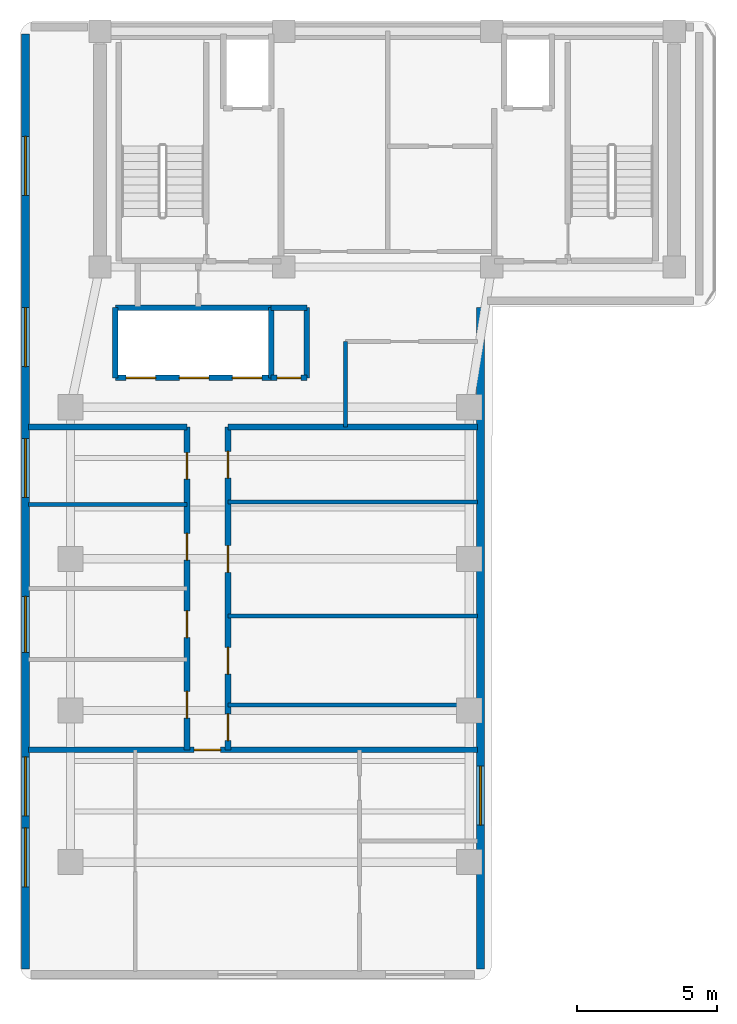
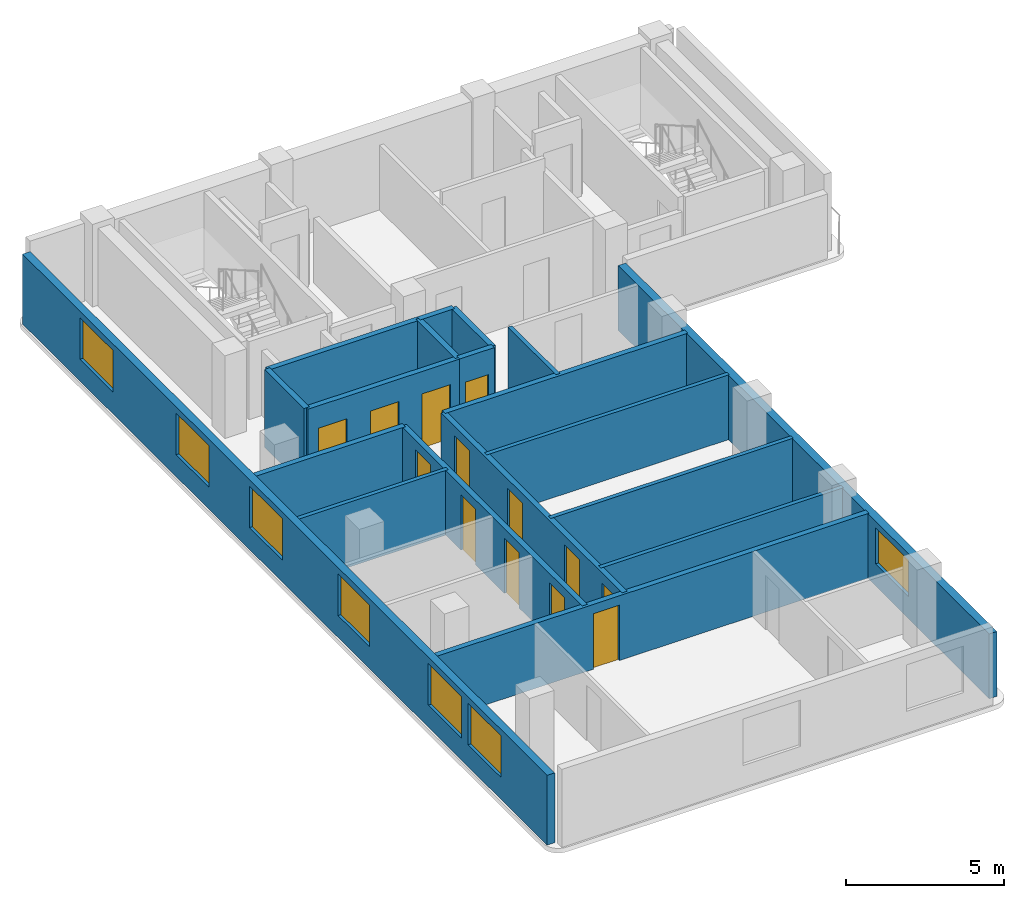
# One storey, part 2 of 4: 19 walls, 13 doors, 7 windows, 20 openings.
"""IFC4 building model written with IfcOpenShell, lengths in metres."""

from ifc_helpers import new_model, si_unit, direction, frame, frame_2d, origin, place, context, subcontext, project, spatial, rectangle, extrude, material, layer, layer_set, type_object, element, fill, save


model = new_model("IFC4")

# Units and contexts
model_context = context("Model", 3, precision=1e-05, world=origin(), true_north=direction((0.0, 1.0)))
body_context = subcontext(model_context, "Body", "Model", "MODEL_VIEW")
ifc_project = project(units=[si_unit("LENGTHUNIT", "METRE"), si_unit("AREAUNIT", "SQUARE_METRE"), si_unit("VOLUMEUNIT", "CUBIC_METRE"), si_unit("PLANEANGLEUNIT", "RADIAN"), si_unit("MASSUNIT", "GRAM", prefix="KILO")], contexts=[model_context])

# Site, building, storey
site_placement = place(None, origin())
site = spatial("IfcSite", under=ifc_project, at=site_placement, CompositionType="ELEMENT")
building_placement = place(site_placement, origin())
building = spatial("IfcBuilding", under=site, at=building_placement, Name="Kuzgunbayir Cultural Tower", CompositionType="ELEMENT")
storey_placement = place(building_placement, frame((0.0, 0.0, 208.0)))
storey = spatial("IfcBuildingStorey", under=building, at=storey_placement, Name="L61", CompositionType="ELEMENT", Elevation=208.0)

# Wall, openings, windows
ifc_material_1 = material(Name="Anatolian Cream Limestone", Category="masonry")
ifc_layer_1 = layer(ifc_material_1, 0.280029296875)
ifc_layer_set_1 = layer_set([ifc_layer_1], Name="Anatolian Cream Limestone")
wall_type_1 = type_object("IfcWallType", Name="WAL-EXT-STONE-280", PredefinedType="STANDARD", material=ifc_layer_set_1)
wall_1_placement = place(storey_placement, frame((3.800048828125, 42.10009765625, 0.0), z_axis=(0.0, 0.0, 1.0), x_axis=(0.0, -1.0, 0.0)))
wall_1 = element("IfcWall", 1, at=wall_1_placement, inside=storey, type_object=wall_type_1, Name="L61 Wing A West Limestone Wall", PredefinedType="STANDARD", context=body_context, shape_type="SweptSolid", body=[
    extrude(rectangle(XDim=33.300048828125, YDim=0.280029296875, at=frame_2d((16.64990234375, 0.0))), origin(), (0.0, 0.0, 1.0), 2.7099609375),
])
opening_1_placement = place(wall_1_placement, frame((28.280029296875, 0.0, 0.85009765625)))
opening_1 = element("IfcOpeningElement", 2, at=opening_1_placement, cuts=wall_1, Name="Opening WR-21", PredefinedType="OPENING", context=body_context, shape_type="SweptSolid", body=[
    extrude(rectangle(XDim=2.10009765625, YDim=1.610107421875, at=frame_2d((1.050048828125, 0.80517578125))), frame((0.0, 0.14990234375, 0.0), z_axis=(0.0, -1.0, 0.0), x_axis=(1.0, 0.0, 0.0)), (0.0, 0.0, 1.0), 0.300048828125),
])
opening_2_placement = place(wall_1_placement, frame((25.75, 0.0, 0.85009765625)))
opening_2 = element("IfcOpeningElement", 3, at=opening_2_placement, cuts=wall_1, Name="Opening WR-21", PredefinedType="OPENING", context=body_context, shape_type="SweptSolid", body=[
    extrude(rectangle(XDim=2.10009765625, YDim=1.610107421875, at=frame_2d((1.050048828125, 0.80517578125))), frame((0.0, 0.14990234375, 0.0), z_axis=(0.0, -1.0, 0.0), x_axis=(1.0, 0.0, 0.0)), (0.0, 0.0, 1.0), 0.300048828125),
])
opening_3_placement = place(wall_1_placement, frame((20.030029296875, 0.0, 0.85009765625)))
opening_3 = element("IfcOpeningElement", 4, at=opening_3_placement, cuts=wall_1, Name="Opening WO-20", PredefinedType="OPENING", context=body_context, shape_type="SweptSolid", body=[
    extrude(rectangle(XDim=2.0, YDim=1.610107421875, at=frame_2d((1.0, 0.80517578125))), frame((0.0, 0.14990234375, 0.0), z_axis=(0.0, -1.0, 0.0), x_axis=(1.0, 0.0, 0.0)), (0.0, 0.0, 1.0), 0.300048828125),
])
opening_4_placement = place(wall_1_placement, frame((14.409912109375, 0.0, 0.85009765625)))
opening_4 = element("IfcOpeningElement", 5, at=opening_4_placement, cuts=wall_1, Name="Opening WR-21", PredefinedType="OPENING", context=body_context, shape_type="SweptSolid", body=[
    extrude(rectangle(XDim=2.10009765625, YDim=1.610107421875, at=frame_2d((1.050048828125, 0.80517578125))), frame((0.0, 0.14990234375, 0.0), z_axis=(0.0, -1.0, 0.0), x_axis=(1.0, 0.0, 0.0)), (0.0, 0.0, 1.0), 0.300048828125),
])
opening_5_placement = place(wall_1_placement, frame((9.75, 0.0, 0.85009765625)))
opening_5 = element("IfcOpeningElement", 6, at=opening_5_placement, cuts=wall_1, Name="Opening WR-21", PredefinedType="OPENING", context=body_context, shape_type="SweptSolid", body=[
    extrude(rectangle(XDim=2.10009765625, YDim=1.610107421875, at=frame_2d((1.050048828125, 0.80517578125))), frame((0.0, 0.14990234375, 0.0), z_axis=(0.0, -1.0, 0.0), x_axis=(1.0, 0.0, 0.0)), (0.0, 0.0, 1.0), 0.300048828125),
])
opening_6_placement = place(wall_1_placement, frame((3.64990234375, 0.0, 0.85009765625)))
opening_6 = element("IfcOpeningElement", 7, at=opening_6_placement, cuts=wall_1, Name="Opening WR-21", PredefinedType="OPENING", context=body_context, shape_type="SweptSolid", body=[
    extrude(rectangle(XDim=2.10009765625, YDim=1.610107421875, at=frame_2d((1.050048828125, 0.80517578125))), frame((0.0, 0.14990234375, 0.0), z_axis=(0.0, -1.0, 0.0), x_axis=(1.0, 0.0, 0.0)), (0.0, 0.0, 1.0), 0.300048828125),
])
ifc_material_2 = material(Name="Solar-Control Triple Glazing", Category="glass")
window_type_1 = type_object("IfcWindowType", Name="WIN-OFFICE-20", PartitioningType="SINGLE_PANEL", PredefinedType="WINDOW", material=ifc_material_2)
window_1_placement = place(opening_3_placement, origin())
window_1 = element("IfcWindow", 8, at=window_1_placement, inside=storey, type_object=window_type_1, Name="L61 WAW Facade Window 6", OverallHeight=1.610107421875, OverallWidth=2.0, PartitioningType="SINGLE_PANEL", PredefinedType="WINDOW", context=body_context, shape_type="SweptSolid", body=[
    extrude(rectangle(XDim=2.0, YDim=1.610107421875, at=frame_2d((1.0, 0.80517578125))), frame((0.0, 0.030029296875, 0.0), z_axis=(0.0, -1.0, 0.0), x_axis=(1.0, 0.0, 0.0)), (0.0, 0.0, 1.0), 0.06005859375),
])
fill(opening_3, window_1)
window_type_2 = type_object("IfcWindowType", Name="WIN-RESID-21", PartitioningType="SINGLE_PANEL", PredefinedType="WINDOW", material=ifc_material_2)
window_2_placement = place(opening_1_placement, origin())
window_2 = element("IfcWindow", 9, at=window_2_placement, inside=storey, type_object=window_type_2, Name="L61 WAW Facade Window 1", OverallHeight=1.610107421875, OverallWidth=2.10009765625, PartitioningType="SINGLE_PANEL", PredefinedType="WINDOW", context=body_context, shape_type="SweptSolid", body=[
    extrude(rectangle(XDim=2.10009765625, YDim=1.610107421875, at=frame_2d((1.050048828125, 0.80517578125))), frame((0.0, 0.030029296875, 0.0), z_axis=(0.0, -1.0, 0.0), x_axis=(1.0, 0.0, 0.0)), (0.0, 0.0, 1.0), 0.06005859375),
])
fill(opening_1, window_2)
window_3_placement = place(opening_2_placement, origin())
window_3 = element("IfcWindow", 10, at=window_3_placement, inside=storey, type_object=window_type_2, Name="L61 WAW Facade Window 5", OverallHeight=1.610107421875, OverallWidth=2.10009765625, PartitioningType="SINGLE_PANEL", PredefinedType="WINDOW", context=body_context, shape_type="SweptSolid", body=[
    extrude(rectangle(XDim=2.10009765625, YDim=1.610107421875, at=frame_2d((1.050048828125, 0.80517578125))), frame((0.0, 0.030029296875, 0.0), z_axis=(0.0, -1.0, 0.0), x_axis=(1.0, 0.0, 0.0)), (0.0, 0.0, 1.0), 0.06005859375),
])
fill(opening_2, window_3)
window_4_placement = place(opening_4_placement, origin())
window_4 = element("IfcWindow", 11, at=window_4_placement, inside=storey, type_object=window_type_2, Name="L61 WAW Facade Window 7", OverallHeight=1.610107421875, OverallWidth=2.10009765625, PartitioningType="SINGLE_PANEL", PredefinedType="WINDOW", context=body_context, shape_type="SweptSolid", body=[
    extrude(rectangle(XDim=2.10009765625, YDim=1.610107421875, at=frame_2d((1.050048828125, 0.80517578125))), frame((0.0, 0.030029296875, 0.0), z_axis=(0.0, -1.0, 0.0), x_axis=(1.0, 0.0, 0.0)), (0.0, 0.0, 1.0), 0.06005859375),
])
fill(opening_4, window_4)
window_5_placement = place(opening_5_placement, origin())
window_5 = element("IfcWindow", 12, at=window_5_placement, inside=storey, type_object=window_type_2, Name="L61 WAW Facade Window 8", OverallHeight=1.610107421875, OverallWidth=2.10009765625, PartitioningType="SINGLE_PANEL", PredefinedType="WINDOW", context=body_context, shape_type="SweptSolid", body=[
    extrude(rectangle(XDim=2.10009765625, YDim=1.610107421875, at=frame_2d((1.050048828125, 0.80517578125))), frame((0.0, 0.030029296875, 0.0), z_axis=(0.0, -1.0, 0.0), x_axis=(1.0, 0.0, 0.0)), (0.0, 0.0, 1.0), 0.06005859375),
])
fill(opening_5, window_5)
window_6_placement = place(opening_6_placement, origin())
window_6 = element("IfcWindow", 13, at=window_6_placement, inside=storey, type_object=window_type_2, Name="L61 WAW Facade Window 9", OverallHeight=1.610107421875, OverallWidth=2.10009765625, PartitioningType="SINGLE_PANEL", PredefinedType="WINDOW", context=body_context, shape_type="SweptSolid", body=[
    extrude(rectangle(XDim=2.10009765625, YDim=1.610107421875, at=frame_2d((1.050048828125, 0.80517578125))), frame((0.0, 0.030029296875, 0.0), z_axis=(0.0, -1.0, 0.0), x_axis=(1.0, 0.0, 0.0)), (0.0, 0.0, 1.0), 0.06005859375),
])
fill(opening_6, window_6)

# Wall, opening, window
wall_2_placement = place(storey_placement, frame((20.0, 8.800048828125, 0.0), z_axis=(0.0, 0.0, 1.0), x_axis=(0.0, 1.0, 0.0)))
wall_2 = element("IfcWall", 14, at=wall_2_placement, inside=storey, type_object=wall_type_1, Name="L61 Wing A East Limestone Wall", PredefinedType="STANDARD", context=body_context, shape_type="SweptSolid", body=[
    extrude(rectangle(XDim=23.550048828125, YDim=0.280029296875, at=frame_2d((11.77490234375, 0.0))), origin(), (0.0, 0.0, 1.0), 2.510009765625),
])
opening_7_placement = place(wall_2_placement, frame((5.1201171875, 0.0, 0.85009765625)))
opening_7 = element("IfcOpeningElement", 15, at=opening_7_placement, cuts=wall_2, Name="Opening WR-21", PredefinedType="OPENING", context=body_context, shape_type="SweptSolid", body=[
    extrude(rectangle(XDim=2.10009765625, YDim=1.409912109375, at=frame_2d((1.050048828125, 0.705078125))), frame((0.0, 0.14990234375, 0.0), z_axis=(0.0, -1.0, 0.0), x_axis=(1.0, 0.0, 0.0)), (0.0, 0.0, 1.0), 0.300048828125),
])
window_7_placement = place(opening_7_placement, origin())
window_7 = element("IfcWindow", 16, at=window_7_placement, inside=storey, type_object=window_type_2, Name="L61 WAE Facade Window 4", OverallHeight=1.409912109375, OverallWidth=2.10009765625, PartitioningType="SINGLE_PANEL", PredefinedType="WINDOW", context=body_context, shape_type="SweptSolid", body=[
    extrude(rectangle(XDim=2.10009765625, YDim=1.409912109375, at=frame_2d((1.050048828125, 0.705078125))), frame((0.0, 0.030029296875, 0.0), z_axis=(0.0, -1.0, 0.0), x_axis=(1.0, 0.0, 0.0)), (0.0, 0.0, 1.0), 0.06005859375),
])
fill(opening_7, window_7)

# Walls
ifc_material_3 = material(Name="Acoustic Double-Stud Drywall", Category="gypsum")
ifc_layer_2 = layer(ifc_material_3, 0.14990234375)
ifc_layer_set_2 = layer_set([ifc_layer_2], Name="Acoustic Double-Stud Drywall")
wall_type_2 = type_object("IfcWallType", Name="WAL-PART-ACOUSTIC-150", PredefinedType="PARTITIONING", material=ifc_layer_set_2)
wall_3_placement = place(storey_placement, frame((15.199951171875, 28.10009765625, 0.0), z_axis=(0.0, 0.0, 1.0), x_axis=(0.0, 1.0, 0.0)))
element("IfcWall", 17, at=wall_3_placement, inside=storey, type_object=wall_type_2, Name="L61 Central Sky Salon West Wall", PredefinedType="PARTITIONING", context=body_context, shape_type="SweptSolid", body=[
    extrude(rectangle(XDim=3.0498046875, YDim=0.14990234375, at=frame_2d((1.52490234375, 0.0))), origin(), (0.0, 0.0, 1.0), 2.510009765625),
])
wall_4_placement = place(storey_placement, frame((3.89990234375, 25.340087890625, 0.0), z_axis=(0.0, 0.0, 1.0), x_axis=(1.0, 0.0, 0.0)))
element("IfcWall", 18, at=wall_4_placement, inside=storey, type_object=wall_type_2, Name="L61 West Study Partition 3", PredefinedType="PARTITIONING", context=body_context, shape_type="SweptSolid", body=[
    extrude(rectangle(XDim=5.650146484375, YDim=0.14990234375, at=frame_2d((2.8251953125, 0.0))), origin(), (0.0, 0.0, 1.0), 2.510009765625),
])
for number, where, z_axis, x_axis, name in (
    (19, (11.010009765625, 21.3701171875, 0.0), (0.0, 0.0, 1.0), (1.0, 0.0, 0.0), "L61 East Divider 1"),
    (20, (11.010009765625, 25.429931640625, 0.0), (0.0, 0.0, 1.0), (1.0, 0.0, 0.0), "L61 East Divider 2"),
):
    element("IfcWall", number, at=place(storey_placement, frame(where, z_axis=z_axis, x_axis=x_axis)), inside=storey, type_object=wall_type_2, Name=name, PredefinedType="PARTITIONING", context=body_context, shape_type="SweptSolid", body=[
        extrude(rectangle(XDim=8.889892578125, YDim=0.14990234375, at=frame_2d((4.44482421875, 0.0))), origin(), (0.0, 0.0, 1.0), 2.510009765625),
    ])

# Wall, opening, door
ifc_material_4 = material(Name="Aerated Concrete Blockwork", Category="masonry")
ifc_layer_3 = layer(ifc_material_4, 0.199951171875)
ifc_layer_set_3 = layer_set([ifc_layer_3], Name="Aerated Concrete Blockwork")
wall_type_3 = type_object("IfcWallType", Name="WAL-PART-FIRE-200", PredefinedType="PARTITIONING", material=ifc_layer_set_3)
wall_5_placement = place(storey_placement, frame((12.550048828125, 29.85009765625, 0.0), z_axis=(0.0, 0.0, 1.0), x_axis=(1.0, 0.0, 0.0)))
wall_5 = element("IfcWall", 21, at=wall_5_placement, inside=storey, type_object=wall_type_3, Name="L61 Center Core Switchgear South Wall", PredefinedType="PARTITIONING", context=body_context, shape_type="SweptSolid", body=[
    extrude(rectangle(XDim=1.27001953125, YDim=0.199951171875, at=frame_2d((0.635009765625, 0.0))), origin(), (0.0, 0.0, 1.0), 3.02001953125),
])
opening_8_placement = place(wall_5_placement, frame((0.2099609375, 0.0, 0.0)))
opening_8 = element("IfcOpeningElement", 22, at=opening_8_placement, cuts=wall_5, Name="Opening DR-RSR-60", PredefinedType="OPENING", context=body_context, shape_type="SweptSolid", body=[
    extrude(rectangle(XDim=0.85009765625, YDim=2.050048828125, at=frame_2d((0.425048828125, 1.02490234375))), frame((0.0, 0.10986328125, 0.0), z_axis=(0.0, -1.0, 0.0), x_axis=(1.0, 0.0, 0.0)), (0.0, 0.0, 1.0), 0.219970703125),
])
ifc_material_5 = material(Name="Steel Access Leaf", Category="steel")
door_type_1 = type_object("IfcDoorType", Name="DR-RISER-60", OperationType="NOTDEFINED", PredefinedType="DOOR", material=ifc_material_5)
door_1_placement = place(opening_8_placement, origin())
door_1 = element("IfcDoor", 23, at=door_1_placement, inside=storey, type_object=door_type_1, Name="L61 Electrical Switchgear Closet Door", OperationType="SINGLE_SWING_LEFT", OverallHeight=2.050048828125, OverallWidth=0.85009765625, PredefinedType="DOOR", context=body_context, shape_type="SweptSolid", body=[
    extrude(rectangle(XDim=0.85009765625, YDim=2.050048828125, at=frame_2d((0.425048828125, 1.02490234375))), frame((0.0, 0.02490234375, 0.0), z_axis=(0.0, -1.0, 0.0), x_axis=(1.0, 0.0, 0.0)), (0.0, 0.0, 1.0), 0.050048828125),
])
fill(opening_8, door_1)

# Walls
wall_6_placement = place(storey_placement, frame((13.820068359375, 29.85009765625, 0.0), z_axis=(0.0, 0.0, 1.0), x_axis=(0.0, 1.0, 0.0)))
element("IfcWall", 24, at=wall_6_placement, inside=storey, type_object=wall_type_3, Name="L61 Center Core Switchgear East Wall", PredefinedType="PARTITIONING", context=body_context, shape_type="SweptSolid", body=[
    extrude(rectangle(XDim=2.5, YDim=0.199951171875, at=frame_2d((1.25, 0.0))), origin(), (0.0, 0.0, 1.0), 3.02001953125),
])
wall_7_placement = place(storey_placement, frame((12.550048828125, 32.35009765625, 0.0), z_axis=(0.0, 0.0, 1.0), x_axis=(1.0, 0.0, 0.0)))
element("IfcWall", 25, at=wall_7_placement, inside=storey, type_object=wall_type_3, Name="L61 Center Core Switchgear North Wall", PredefinedType="PARTITIONING", context=body_context, shape_type="SweptSolid", body=[
    extrude(rectangle(XDim=1.27001953125, YDim=0.199951171875, at=frame_2d((0.635009765625, 0.0))), origin(), (0.0, 0.0, 1.0), 3.02001953125),
])

# Wall, openings, doors
wall_8_placement = place(storey_placement, frame((9.550048828125, 16.60009765625, 0.0), z_axis=(0.0, 0.0, 1.0), x_axis=(0.0, 1.0, 0.0)))
wall_8 = element("IfcWall", 26, at=wall_8_placement, inside=storey, type_object=wall_type_3, Name="L61 Wing A West Corridor Wall", PredefinedType="PARTITIONING", context=body_context, shape_type="SweptSolid", body=[
    extrude(rectangle(XDim=11.5, YDim=0.199951171875, at=frame_2d((5.75, 0.0))), origin(), (0.0, 0.0, 1.0), 2.510009765625),
])
opening_9_placement = place(wall_8_placement, frame((1.1298828125, 0.0, 0.0)))
opening_9 = element("IfcOpeningElement", 27, at=opening_9_placement, cuts=wall_8, Name="Opening DI-90", PredefinedType="OPENING", context=body_context, shape_type="SweptSolid", body=[
    extrude(rectangle(XDim=0.949951171875, YDim=2.14990234375, at=frame_2d((0.47509765625, 1.074951171875))), frame((0.0, 0.10986328125, 0.0), z_axis=(0.0, -1.0, 0.0), x_axis=(1.0, 0.0, 0.0)), (0.0, 0.0, 1.0), 0.219970703125),
])
opening_10_placement = place(wall_8_placement, frame((4.0, 0.0, 0.0)))
opening_10 = element("IfcOpeningElement", 28, at=opening_10_placement, cuts=wall_8, Name="Opening DI-90", PredefinedType="OPENING", context=body_context, shape_type="SweptSolid", body=[
    extrude(rectangle(XDim=0.949951171875, YDim=2.14990234375, at=frame_2d((0.47509765625, 1.074951171875))), frame((0.0, 0.10986328125, 0.0), z_axis=(0.0, -1.0, 0.0), x_axis=(1.0, 0.0, 0.0)), (0.0, 0.0, 1.0), 0.219970703125),
])
opening_11_placement = place(wall_8_placement, frame((6.760009765625, 0.0, 0.0)))
opening_11 = element("IfcOpeningElement", 29, at=opening_11_placement, cuts=wall_8, Name="Opening DI-90", PredefinedType="OPENING", context=body_context, shape_type="SweptSolid", body=[
    extrude(rectangle(XDim=0.949951171875, YDim=2.14990234375, at=frame_2d((0.47509765625, 1.074951171875))), frame((0.0, 0.10986328125, 0.0), z_axis=(0.0, -1.0, 0.0), x_axis=(1.0, 0.0, 0.0)), (0.0, 0.0, 1.0), 0.219970703125),
])
opening_12_placement = place(wall_8_placement, frame((9.639892578125, 0.0, 0.0)))
opening_12 = element("IfcOpeningElement", 30, at=opening_12_placement, cuts=wall_8, Name="Opening DI-90", PredefinedType="OPENING", context=body_context, shape_type="SweptSolid", body=[
    extrude(rectangle(XDim=0.949951171875, YDim=2.14990234375, at=frame_2d((0.47509765625, 1.074951171875))), frame((0.0, 0.10986328125, 0.0), z_axis=(0.0, -1.0, 0.0), x_axis=(1.0, 0.0, 0.0)), (0.0, 0.0, 1.0), 0.219970703125),
])
ifc_material_6 = material(Name="Veneered Oak Single Leaf", Category="wood")
door_type_2 = type_object("IfcDoorType", Name="DR-INT-90", OperationType="NOTDEFINED", PredefinedType="DOOR", material=ifc_material_6)
door_2_placement = place(opening_9_placement, origin())
door_2 = element("IfcDoor", 31, at=door_2_placement, inside=storey, type_object=door_type_2, Name="L61 Seminar Boardroom W1 Door", OperationType="SINGLE_SWING_RIGHT", OverallHeight=2.14990234375, OverallWidth=0.949951171875, PredefinedType="DOOR", context=body_context, shape_type="SweptSolid", body=[
    extrude(rectangle(XDim=0.949951171875, YDim=2.14990234375, at=frame_2d((0.47509765625, 1.074951171875))), frame((0.0, 0.02490234375, 0.0), z_axis=(0.0, -1.0, 0.0), x_axis=(1.0, 0.0, 0.0)), (0.0, 0.0, 1.0), 0.050048828125),
])
fill(opening_9, door_2)
door_3_placement = place(opening_10_placement, origin())
door_3 = element("IfcDoor", 32, at=door_3_placement, inside=storey, type_object=door_type_2, Name="L61 Seminar Boardroom W2 Door", OperationType="SINGLE_SWING_LEFT", OverallHeight=2.14990234375, OverallWidth=0.949951171875, PredefinedType="DOOR", context=body_context, shape_type="SweptSolid", body=[
    extrude(rectangle(XDim=0.949951171875, YDim=2.14990234375, at=frame_2d((0.47509765625, 1.074951171875))), frame((0.0, 0.02490234375, 0.0), z_axis=(0.0, -1.0, 0.0), x_axis=(1.0, 0.0, 0.0)), (0.0, 0.0, 1.0), 0.050048828125),
])
fill(opening_10, door_3)
door_4_placement = place(opening_11_placement, origin())
door_4 = element("IfcDoor", 33, at=door_4_placement, inside=storey, type_object=door_type_2, Name="L61 Seminar Boardroom W3 Door", OperationType="SINGLE_SWING_RIGHT", OverallHeight=2.14990234375, OverallWidth=0.949951171875, PredefinedType="DOOR", context=body_context, shape_type="SweptSolid", body=[
    extrude(rectangle(XDim=0.949951171875, YDim=2.14990234375, at=frame_2d((0.47509765625, 1.074951171875))), frame((0.0, 0.02490234375, 0.0), z_axis=(0.0, -1.0, 0.0), x_axis=(1.0, 0.0, 0.0)), (0.0, 0.0, 1.0), 0.050048828125),
])
fill(opening_11, door_4)
door_5_placement = place(opening_12_placement, origin())
door_5 = element("IfcDoor", 34, at=door_5_placement, inside=storey, type_object=door_type_2, Name="L61 Art Publication Salon W4 Door", OperationType="SINGLE_SWING_LEFT", OverallHeight=2.14990234375, OverallWidth=0.949951171875, PredefinedType="DOOR", context=body_context, shape_type="SweptSolid", body=[
    extrude(rectangle(XDim=0.949951171875, YDim=2.14990234375, at=frame_2d((0.47509765625, 1.074951171875))), frame((0.0, 0.02490234375, 0.0), z_axis=(0.0, -1.0, 0.0), x_axis=(1.0, 0.0, 0.0)), (0.0, 0.0, 1.0), 0.050048828125),
])
fill(opening_12, door_5)

wall_9_placement = place(storey_placement, frame((11.010009765625, 16.60009765625, 0.0), z_axis=(0.0, 0.0, 1.0), x_axis=(0.0, 1.0, 0.0)))
wall_9 = element("IfcWall", 35, at=wall_9_placement, inside=storey, type_object=wall_type_3, Name="L61 Wing A East Corridor Wall", PredefinedType="PARTITIONING", context=body_context, shape_type="SweptSolid", body=[
    extrude(rectangle(XDim=11.5, YDim=0.199951171875, at=frame_2d((5.75, 0.0))), origin(), (0.0, 0.0, 1.0), 2.510009765625),
])
opening_13_placement = place(wall_9_placement, frame((0.330078125, 0.0, 0.0)))
opening_13 = element("IfcOpeningElement", 36, at=opening_13_placement, cuts=wall_9, Name="Opening DW-95", PredefinedType="OPENING", context=body_context, shape_type="SweptSolid", body=[
    extrude(rectangle(XDim=0.949951171875, YDim=2.10009765625, at=frame_2d((0.47509765625, 1.050048828125))), frame((0.0, 0.10986328125, 0.0), z_axis=(0.0, -1.0, 0.0), x_axis=(1.0, 0.0, 0.0)), (0.0, 0.0, 1.0), 0.219970703125),
])
opening_14_placement = place(wall_9_placement, frame((2.699951171875, 0.0, 0.0)))
opening_14 = element("IfcOpeningElement", 37, at=opening_14_placement, cuts=wall_9, Name="Opening DI-90", PredefinedType="OPENING", context=body_context, shape_type="SweptSolid", body=[
    extrude(rectangle(XDim=0.949951171875, YDim=2.14990234375, at=frame_2d((0.47509765625, 1.074951171875))), frame((0.0, 0.10986328125, 0.0), z_axis=(0.0, -1.0, 0.0), x_axis=(1.0, 0.0, 0.0)), (0.0, 0.0, 1.0), 0.219970703125),
])
opening_15_placement = place(wall_9_placement, frame((6.320068359375, 0.0, 0.0)))
opening_15 = element("IfcOpeningElement", 38, at=opening_15_placement, cuts=wall_9, Name="Opening DI-90", PredefinedType="OPENING", context=body_context, shape_type="SweptSolid", body=[
    extrude(rectangle(XDim=0.949951171875, YDim=2.14990234375, at=frame_2d((0.47509765625, 1.074951171875))), frame((0.0, 0.10986328125, 0.0), z_axis=(0.0, -1.0, 0.0), x_axis=(1.0, 0.0, 0.0)), (0.0, 0.0, 1.0), 0.219970703125),
])
opening_16_placement = place(wall_9_placement, frame((9.679931640625, 0.0, 0.0)))
opening_16 = element("IfcOpeningElement", 39, at=opening_16_placement, cuts=wall_9, Name="Opening DI-90", PredefinedType="OPENING", context=body_context, shape_type="SweptSolid", body=[
    extrude(rectangle(XDim=0.949951171875, YDim=2.14990234375, at=frame_2d((0.47509765625, 1.074951171875))), frame((0.0, 0.10986328125, 0.0), z_axis=(0.0, -1.0, 0.0), x_axis=(1.0, 0.0, 0.0)), (0.0, 0.0, 1.0), 0.219970703125),
])
door_6_placement = place(opening_14_placement, origin())
door_6 = element("IfcDoor", 40, at=door_6_placement, inside=storey, type_object=door_type_2, Name="L61 East Seminar Boardroom E1 Door", OperationType="SINGLE_SWING_LEFT", OverallHeight=2.14990234375, OverallWidth=0.949951171875, PredefinedType="DOOR", context=body_context, shape_type="SweptSolid", body=[
    extrude(rectangle(XDim=0.949951171875, YDim=2.14990234375, at=frame_2d((0.47509765625, 1.074951171875))), frame((0.0, 0.02490234375, 0.0), z_axis=(0.0, -1.0, 0.0), x_axis=(1.0, 0.0, 0.0)), (0.0, 0.0, 1.0), 0.050048828125),
])
fill(opening_14, door_6)
door_7_placement = place(opening_15_placement, origin())
door_7 = element("IfcDoor", 41, at=door_7_placement, inside=storey, type_object=door_type_2, Name="L61 East Curatorial Office E2 Door", OperationType="SINGLE_SWING_RIGHT", OverallHeight=2.14990234375, OverallWidth=0.949951171875, PredefinedType="DOOR", context=body_context, shape_type="SweptSolid", body=[
    extrude(rectangle(XDim=0.949951171875, YDim=2.14990234375, at=frame_2d((0.47509765625, 1.074951171875))), frame((0.0, 0.02490234375, 0.0), z_axis=(0.0, -1.0, 0.0), x_axis=(1.0, 0.0, 0.0)), (0.0, 0.0, 1.0), 0.050048828125),
])
fill(opening_15, door_7)
door_8_placement = place(opening_16_placement, origin())
door_8 = element("IfcDoor", 42, at=door_8_placement, inside=storey, type_object=door_type_2, Name="L61 East Seminar Boardroom E3 Door", OperationType="SINGLE_SWING_LEFT", OverallHeight=2.14990234375, OverallWidth=0.949951171875, PredefinedType="DOOR", context=body_context, shape_type="SweptSolid", body=[
    extrude(rectangle(XDim=0.949951171875, YDim=2.14990234375, at=frame_2d((0.47509765625, 1.074951171875))), frame((0.0, 0.02490234375, 0.0), z_axis=(0.0, -1.0, 0.0), x_axis=(1.0, 0.0, 0.0)), (0.0, 0.0, 1.0), 0.050048828125),
])
fill(opening_16, door_8)
ifc_material_7 = material(Name="Laminate Moisture-Resistant Leaf", Category="wood")
door_type_3 = type_object("IfcDoorType", Name="DR-WET-95", OperationType="NOTDEFINED", PredefinedType="DOOR", material=ifc_material_7)
door_9_placement = place(opening_13_placement, origin())
door_9 = element("IfcDoor", 43, at=door_9_placement, inside=storey, type_object=door_type_3, Name="L61 Visitor Accessible WC Door", OperationType="SINGLE_SWING_RIGHT", OverallHeight=2.10009765625, OverallWidth=0.949951171875, PredefinedType="DOOR", context=body_context, shape_type="SweptSolid", body=[
    extrude(rectangle(XDim=0.949951171875, YDim=2.10009765625, at=frame_2d((0.47509765625, 1.050048828125))), frame((0.0, 0.02490234375, 0.0), z_axis=(0.0, -1.0, 0.0), x_axis=(1.0, 0.0, 0.0)), (0.0, 0.0, 1.0), 0.050048828125),
])
fill(opening_13, door_9)

# Wall, opening, door
wall_10_placement = place(storey_placement, frame((3.89990234375, 16.60009765625, 0.0), z_axis=(0.0, 0.0, 1.0), x_axis=(1.0, 0.0, 0.0)))
wall_10 = element("IfcWall", 44, at=wall_10_placement, inside=storey, type_object=wall_type_3, Name="L61 South Cross Partition", PredefinedType="PARTITIONING", context=body_context, shape_type="SweptSolid", body=[
    extrude(rectangle(XDim=16.0, YDim=0.199951171875, at=frame_2d((8.0, 0.0))), origin(), (0.0, 0.0, 1.0), 2.510009765625),
])
opening_17_placement = place(wall_10_placement, frame((5.89990234375, 0.0, 0.0)))
opening_17 = element("IfcOpeningElement", 45, at=opening_17_placement, cuts=wall_10, Name="Opening DR-APT-60", PredefinedType="OPENING", context=body_context, shape_type="SweptSolid", body=[
    extrude(rectangle(XDim=0.949951171875, YDim=2.14990234375, at=frame_2d((0.47509765625, 1.074951171875))), frame((0.0, 0.10986328125, 0.0), z_axis=(0.0, -1.0, 0.0), x_axis=(1.0, 0.0, 0.0)), (0.0, 0.0, 1.0), 0.219970703125),
])
ifc_material_8 = material(Name="Acoustic Fire Timber Leaf", Category="wood")
door_type_4 = type_object("IfcDoorType", Name="DR-APT-60", OperationType="NOTDEFINED", PredefinedType="DOOR", material=ifc_material_8)
door_10_placement = place(opening_17_placement, origin())
door_10 = element("IfcDoor", 46, at=door_10_placement, inside=storey, type_object=door_type_4, Name="L61 Apartment A Entrance", OperationType="SINGLE_SWING_RIGHT", OverallHeight=2.14990234375, OverallWidth=0.949951171875, PredefinedType="DOOR", context=body_context, shape_type="SweptSolid", body=[
    extrude(rectangle(XDim=0.949951171875, YDim=2.14990234375, at=frame_2d((0.47509765625, 1.074951171875))), frame((0.0, 0.02490234375, 0.0), z_axis=(0.0, -1.0, 0.0), x_axis=(1.0, 0.0, 0.0)), (0.0, 0.0, 1.0), 0.050048828125),
])
fill(opening_17, door_10)

# Walls
wall_11_placement = place(storey_placement, frame((3.89990234375, 28.10009765625, 0.0), z_axis=(0.0, 0.0, 1.0), x_axis=(1.0, 0.0, 0.0)))
element("IfcWall", 47, at=wall_11_placement, inside=storey, type_object=wall_type_3, Name="L61 North West Partition", PredefinedType="PARTITIONING", context=body_context, shape_type="SweptSolid", body=[
    extrude(rectangle(XDim=5.650146484375, YDim=0.199951171875, at=frame_2d((2.8251953125, 0.0))), origin(), (0.0, 0.0, 1.0), 2.510009765625),
])
wall_12_placement = place(storey_placement, frame((11.010009765625, 28.10009765625, 0.0), z_axis=(0.0, 0.0, 1.0), x_axis=(1.0, 0.0, 0.0)))
element("IfcWall", 48, at=wall_12_placement, inside=storey, type_object=wall_type_3, Name="L61 North East Partition", PredefinedType="PARTITIONING", context=body_context, shape_type="SweptSolid", body=[
    extrude(rectangle(XDim=8.889892578125, YDim=0.199951171875, at=frame_2d((4.44482421875, 0.0))), origin(), (0.0, 0.0, 1.0), 2.510009765625),
])
ifc_material_9 = material(Name="Moisture-Resistant Tile Partition", Category="gypsum")
ifc_layer_4 = layer(ifc_material_9, 0.14990234375)
ifc_layer_set_4 = layer_set([ifc_layer_4], Name="Moisture-Resistant Tile Partition")
wall_type_4 = type_object("IfcWallType", Name="WAL-PART-WET-150", PredefinedType="PARTITIONING", material=ifc_layer_set_4)
wall_13_placement = place(storey_placement, frame((11.010009765625, 18.199951171875, 0.0), z_axis=(0.0, 0.0, 1.0), x_axis=(1.0, 0.0, 0.0)))
element("IfcWall", 49, at=wall_13_placement, inside=storey, type_object=wall_type_4, Name="L61 East Accessible WC Wall", PredefinedType="PARTITIONING", context=body_context, shape_type="SweptSolid", body=[
    extrude(rectangle(XDim=8.889892578125, YDim=0.14990234375, at=frame_2d((4.44482421875, 0.0))), origin(), (0.0, 0.0, 1.0), 2.510009765625),
])

# Wall, openings, doors
ifc_material_10 = material(Name="Concrete C40/50", Category="concrete")
ifc_layer_5 = layer(ifc_material_10, 0.199951171875)
ifc_layer_set_5 = layer_set([ifc_layer_5], Name="Concrete C40/50")
wall_type_5 = type_object("IfcWallType", Name="WAL-SHAFT-200", PredefinedType="MOVABLE", material=ifc_layer_set_5)
wall_14_placement = place(storey_placement, frame((7.0, 29.85009765625, 0.0), z_axis=(0.0, 0.0, 1.0), x_axis=(1.0, 0.0, 0.0)))
wall_14 = element("IfcWall", 50, at=wall_14_placement, inside=storey, type_object=wall_type_5, Name="L61 High-Rise Lift Shaft South Wall", PredefinedType="MOVABLE", context=body_context, shape_type="SweptSolid", body=[
    extrude(rectangle(XDim=5.550048828125, YDim=0.199951171875, at=frame_2d((2.77490234375, 0.0))), origin(), (0.0, 0.0, 1.0), 3.02001953125),
])
opening_18_placement = place(wall_14_placement, frame((0.3798828125, 0.0, 0.0)))
opening_18 = element("IfcOpeningElement", 51, at=opening_18_placement, cuts=wall_14, Name="Opening LD", PredefinedType="OPENING", context=body_context, shape_type="SweptSolid", body=[
    extrude(rectangle(XDim=1.050048828125, YDim=2.14990234375, at=frame_2d((0.52490234375, 1.074951171875))), frame((0.0, 0.10986328125, 0.0), z_axis=(0.0, -1.0, 0.0), x_axis=(1.0, 0.0, 0.0)), (0.0, 0.0, 1.0), 0.219970703125),
])
opening_19_placement = place(wall_14_placement, frame((2.280029296875, 0.0, 0.0)))
opening_19 = element("IfcOpeningElement", 52, at=opening_19_placement, cuts=wall_14, Name="Opening LD", PredefinedType="OPENING", context=body_context, shape_type="SweptSolid", body=[
    extrude(rectangle(XDim=1.050048828125, YDim=2.14990234375, at=frame_2d((0.52490234375, 1.074951171875))), frame((0.0, 0.10986328125, 0.0), z_axis=(0.0, -1.0, 0.0), x_axis=(1.0, 0.0, 0.0)), (0.0, 0.0, 1.0), 0.219970703125),
])
opening_20_placement = place(wall_14_placement, frame((4.169921875, 0.0, 0.0)))
opening_20 = element("IfcOpeningElement", 53, at=opening_20_placement, cuts=wall_14, Name="Opening LD", PredefinedType="OPENING", context=body_context, shape_type="SweptSolid", body=[
    extrude(rectangle(XDim=1.050048828125, YDim=2.14990234375, at=frame_2d((0.52490234375, 1.074951171875))), frame((0.0, 0.10986328125, 0.0), z_axis=(0.0, -1.0, 0.0), x_axis=(1.0, 0.0, 0.0)), (0.0, 0.0, 1.0), 0.219970703125),
])
ifc_material_11 = material(Name="Brushed Stainless Steel", Category="steel")
door_type_5 = type_object("IfcDoorType", Name="DR-LIFT-LANDING", OperationType="SLIDING_TO_LEFT", PredefinedType="DOOR", material=ifc_material_11)
door_11_placement = place(opening_18_placement, origin())
door_11 = element("IfcDoor", 54, at=door_11_placement, inside=storey, type_object=door_type_5, Name="L61 Lift PH-1 Landing Door", OperationType="SLIDING_TO_LEFT", OverallHeight=2.14990234375, OverallWidth=1.050048828125, PredefinedType="DOOR", context=body_context, shape_type="SweptSolid", body=[
    extrude(rectangle(XDim=1.050048828125, YDim=2.14990234375, at=frame_2d((0.52490234375, 1.074951171875))), frame((0.0, 0.02490234375, 0.0), z_axis=(0.0, -1.0, 0.0), x_axis=(1.0, 0.0, 0.0)), (0.0, 0.0, 1.0), 0.050048828125),
])
fill(opening_18, door_11)
door_12_placement = place(opening_19_placement, origin())
door_12 = element("IfcDoor", 55, at=door_12_placement, inside=storey, type_object=door_type_5, Name="L61 Lift PH-2 Landing Door", OperationType="SLIDING_TO_LEFT", OverallHeight=2.14990234375, OverallWidth=1.050048828125, PredefinedType="DOOR", context=body_context, shape_type="SweptSolid", body=[
    extrude(rectangle(XDim=1.050048828125, YDim=2.14990234375, at=frame_2d((0.52490234375, 1.074951171875))), frame((0.0, 0.02490234375, 0.0), z_axis=(0.0, -1.0, 0.0), x_axis=(1.0, 0.0, 0.0)), (0.0, 0.0, 1.0), 0.050048828125),
])
fill(opening_19, door_12)
door_13_placement = place(opening_20_placement, origin())
door_13 = element("IfcDoor", 56, at=door_13_placement, inside=storey, type_object=door_type_5, Name="L61 Lift PH-3 Landing Door", OperationType="SLIDING_TO_LEFT", OverallHeight=2.14990234375, OverallWidth=1.050048828125, PredefinedType="DOOR", context=body_context, shape_type="SweptSolid", body=[
    extrude(rectangle(XDim=1.050048828125, YDim=2.14990234375, at=frame_2d((0.52490234375, 1.074951171875))), frame((0.0, 0.02490234375, 0.0), z_axis=(0.0, -1.0, 0.0), x_axis=(1.0, 0.0, 0.0)), (0.0, 0.0, 1.0), 0.050048828125),
])
fill(opening_20, door_13)

# Walls
wall_15_placement = place(storey_placement, frame((7.0, 32.35009765625, 0.0), z_axis=(0.0, 0.0, 1.0), x_axis=(1.0, 0.0, 0.0)))
element("IfcWall", 57, at=wall_15_placement, inside=storey, type_object=wall_type_5, Name="L61 High-Rise Lift Shaft North Wall", PredefinedType="MOVABLE", context=body_context, shape_type="SweptSolid", body=[
    extrude(rectangle(XDim=5.550048828125, YDim=0.199951171875, at=frame_2d((2.77490234375, 0.0))), origin(), (0.0, 0.0, 1.0), 3.02001953125),
])
for number, where, z_axis, x_axis, name in (
    (58, (7.0, 29.85009765625, 0.0), (0.0, 0.0, 1.0), (0.0, 1.0, 0.0), "L61 High-Rise Lift Shaft West Wall"),
    (59, (12.550048828125, 29.85009765625, 0.0), (0.0, 0.0, 1.0), (0.0, 1.0, 0.0), "L61 High-Rise Lift Shaft East Wall"),
):
    element("IfcWall", number, at=place(storey_placement, frame(where, z_axis=z_axis, x_axis=x_axis)), inside=storey, type_object=wall_type_5, Name=name, PredefinedType="MOVABLE", context=body_context, shape_type="SweptSolid", body=[
        extrude(rectangle(XDim=2.5, YDim=0.199951171875, at=frame_2d((1.25, 0.0))), origin(), (0.0, 0.0, 1.0), 3.02001953125),
    ])

save(model, "model.ifc")
